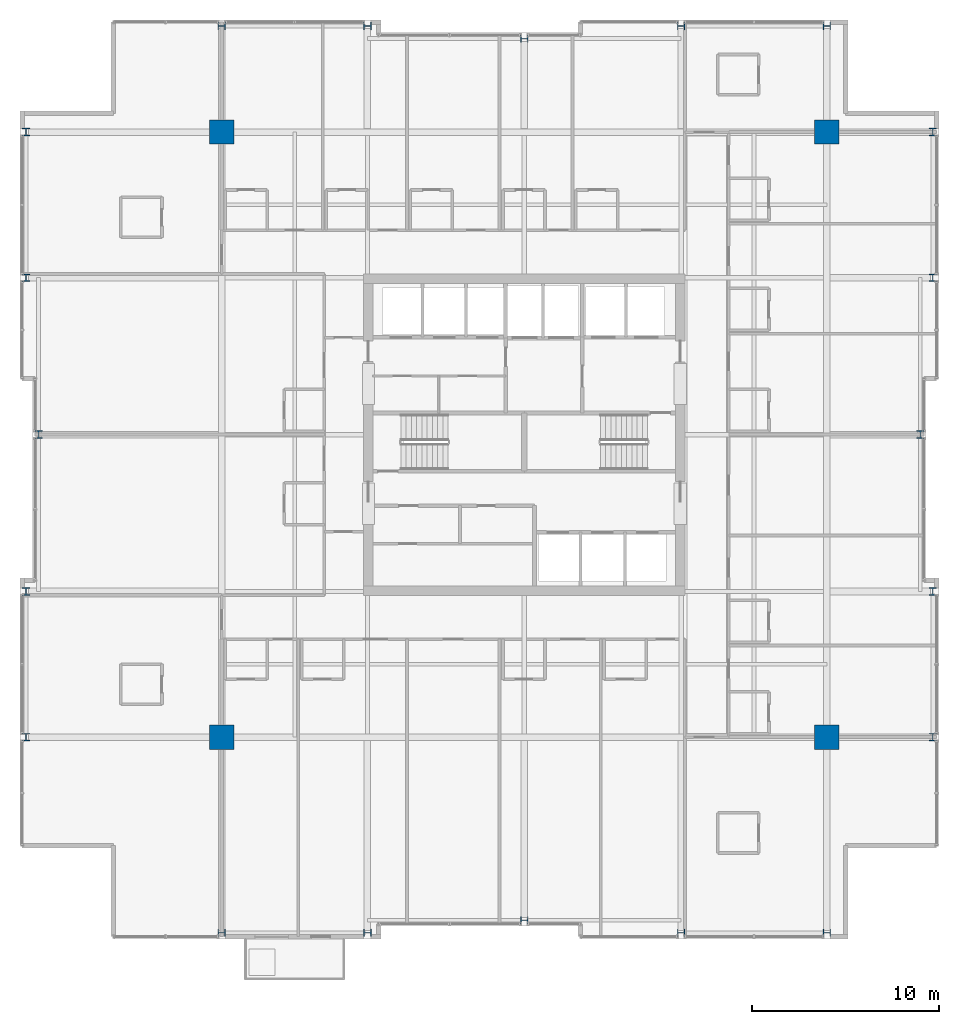
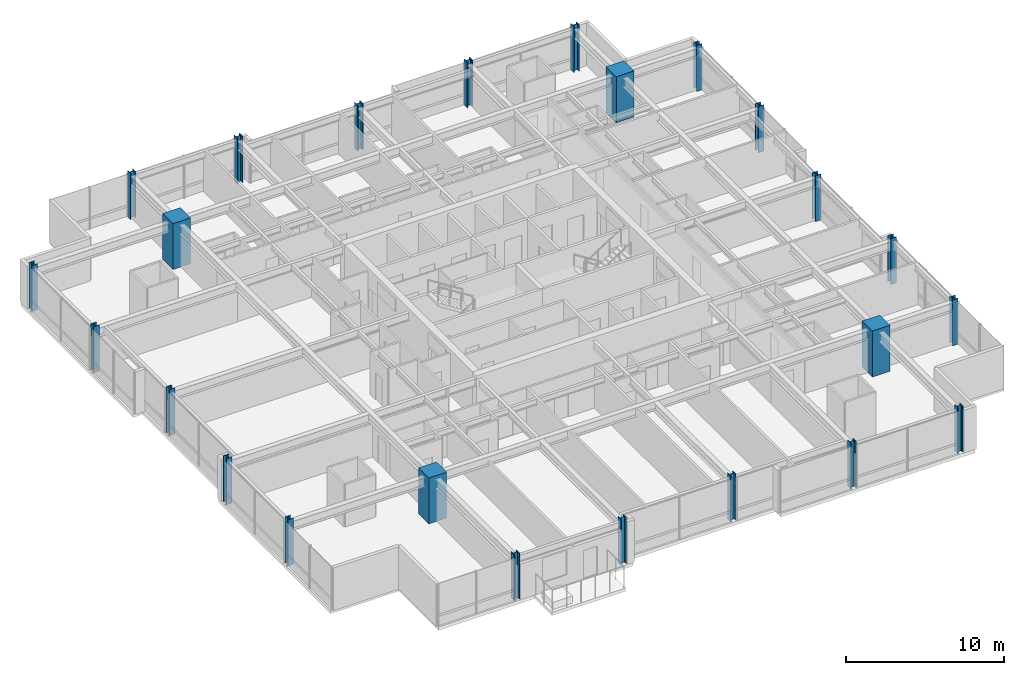
# One storey, part 1 of 32: 24 columns.
"""IFC4 building model written with IfcOpenShell, lengths in metres."""

from ifc_helpers import new_model, si_unit, direction, frame, origin, origin_2d, place, context, subcontext, project, spatial, rectangle, i_section, extrude, material, material_profile, profile_set, type_object, element, save


model = new_model("IFC4")

# Units and contexts
model_context = context("Model", 3, precision=1e-05, world=origin(), true_north=direction((0.0, 1.0)))
body_context = subcontext(model_context, "Body", "Model", "MODEL_VIEW")
ifc_project = project(units=[si_unit("LENGTHUNIT", "METRE"), si_unit("AREAUNIT", "SQUARE_METRE"), si_unit("VOLUMEUNIT", "CUBIC_METRE"), si_unit("PLANEANGLEUNIT", "RADIAN"), si_unit("MASSUNIT", "GRAM", prefix="KILO")], contexts=[model_context])

# Site, building, storey
site_placement = place(None, origin())
site = spatial("IfcSite", under=ifc_project, at=site_placement, CompositionType="ELEMENT")
building_placement = place(site_placement, origin())
building = spatial("IfcBuilding", under=site, at=building_placement, Name="Drelvath Grand Hotel", CompositionType="ELEMENT")
storey_placement = place(building_placement, frame((0.0, 0.0, 150.39990234375)))
storey = spatial("IfcBuildingStorey", under=building, at=storey_placement, Name="L38", CompositionType="ELEMENT", Elevation=150.39990234375)

# Columns
ifc_material_1 = material(Name="Concrete f'c 55 MPa", Category="concrete")
ifc_material_profile_1 = material_profile(ifc_material_1, rectangle(XDim=1.300048828125, YDim=1.300048828125, at=origin_2d()), Name="MC1300X1300")
ifc_profile_set_1 = profile_set([ifc_material_profile_1], Name="Concrete f'c 55 MPa")
column_type_1 = type_object("IfcColumnType", Name="Composite Mega Column MC1300X1300", PredefinedType="COLUMN", material=ifc_profile_set_1)
for number, where, z_axis, x_axis, name in (
    (1, (-16.199951171875, 10.800048828125, 0.0), (0.0, 0.0, 1.0), (1.0, 0.0, 0.0), "L38 Composite Mega Column MC-SW"),
    (2, (16.199951171875, 10.800048828125, 0.0), (0.0, 0.0, 1.0), (1.0, 0.0, 0.0), "L38 Composite Mega Column MC-SE"),
    (3, (-16.199951171875, 43.199951171875, 0.0), (0.0, 0.0, 1.0), (1.0, 0.0, 0.0), "L38 Composite Mega Column MC-NW"),
    (4, (16.199951171875, 43.199951171875, 0.0), (0.0, 0.0, 1.0), (1.0, 0.0, 0.0), "L38 Composite Mega Column MC-NE"),
):
    element("IfcColumn", number, at=place(storey_placement, frame(where, z_axis=z_axis, x_axis=x_axis)), inside=storey, type_object=column_type_1, Name=name, PredefinedType="COLUMN", context=body_context, shape_type="SweptSolid", body=[
        extrude(rectangle(XDim=1.300048828125, YDim=1.300048828125, at=origin_2d()), origin(), (0.0, 0.0, 1.0), 3.550048828125),
    ])
ifc_material_2 = material(Name="Steel ASTM A913 Gr 65", Category="steel")
ifc_material_profile_2 = material_profile(ifc_material_2, i_section(OverallWidth=0.40625, OverallDepth=0.416015625, WebThickness=0.02978515625, FlangeThickness=0.048095703125, FilletRadius=0.028076171875, at=origin_2d()), Name="W14X257")
ifc_profile_set_2 = profile_set([ifc_material_profile_2], Name="Steel ASTM A913 Gr 65")
column_type_2 = type_object("IfcColumnType", Name="Perimeter Steel Column W14X257", PredefinedType="COLUMN", material=ifc_profile_set_2)
for number, where, z_axis, x_axis, name in (
    (5, (-26.679931640625, 10.800048828125, 0.0), (0.0, 0.0, 1.0), (1.0, 0.0, 0.0), "L38 Structural Column TCW-C"),
    (6, (21.8798828125, 10.800048828125, 0.0), (0.0, 0.0, 1.0), (1.0, 0.0, 0.0), "L38 Structural Column TCE-C"),
    (7, (-26.679931640625, 18.60009765625, 0.0), (0.0, 0.0, 1.0), (1.0, 0.0, 0.0), "L38 Structural Column TCW-D"),
    (8, (21.8798828125, 18.60009765625, 0.0), (0.0, 0.0, 1.0), (1.0, 0.0, 0.0), "L38 Structural Column TCE-D"),
    (9, (-26.0, 27.0, 0.0), (0.0, 0.0, 1.0), (1.0, 0.0, 0.0), "L38 Structural Column TCW-E"),
    (10, (21.199951171875, 27.0, 0.0), (0.0, 0.0, 1.0), (1.0, 0.0, 0.0), "L38 Structural Column TCE-E"),
    (11, (-26.679931640625, 35.39990234375, 0.0), (0.0, 0.0, 1.0), (1.0, 0.0, 0.0), "L38 Structural Column TCW-F"),
    (12, (21.8798828125, 35.39990234375, 0.0), (0.0, 0.0, 1.0), (1.0, 0.0, 0.0), "L38 Structural Column TCE-F"),
    (13, (-26.679931640625, 43.199951171875, 0.0), (0.0, 0.0, 1.0), (1.0, 0.0, 0.0), "L38 Structural Column TCW-G"),
    (14, (21.8798828125, 43.199951171875, 0.0), (0.0, 0.0, 1.0), (1.0, 0.0, 0.0), "L38 Structural Column TCE-G"),
    (15, (-16.199951171875, 0.320068359375, 0.0), (0.0, 0.0, 1.0), (0.0, 1.0, 0.0), "L38 Structural Column TCS-3"),
    (16, (-16.199951171875, 48.8798828125, 0.0), (0.0, 0.0, 1.0), (0.0, 1.0, 0.0), "L38 Structural Column TCN-3"),
    (17, (-8.39990234375, 0.320068359375, 0.0), (0.0, 0.0, 1.0), (0.0, 1.0, 0.0), "L38 Structural Column TCS-4"),
    (18, (-8.39990234375, 48.8798828125, 0.0), (0.0, 0.0, 1.0), (0.0, 1.0, 0.0), "L38 Structural Column TCN-4"),
    (19, (0.0, 1.0, 0.0), (0.0, 0.0, 1.0), (0.0, 1.0, 0.0), "L38 Structural Column TCS-5"),
    (20, (0.0, 48.199951171875, 0.0), (0.0, 0.0, 1.0), (0.0, 1.0, 0.0), "L38 Structural Column TCN-5"),
    (21, (8.39990234375, 0.320068359375, 0.0), (0.0, 0.0, 1.0), (0.0, 1.0, 0.0), "L38 Structural Column TCS-6"),
    (22, (8.39990234375, 48.8798828125, 0.0), (0.0, 0.0, 1.0), (0.0, 1.0, 0.0), "L38 Structural Column TCN-6"),
    (23, (16.199951171875, 0.320068359375, 0.0), (0.0, 0.0, 1.0), (0.0, 1.0, 0.0), "L38 Structural Column TCS-7"),
    (24, (16.199951171875, 48.8798828125, 0.0), (0.0, 0.0, 1.0), (0.0, 1.0, 0.0), "L38 Structural Column TCN-7"),
):
    element("IfcColumn", number, at=place(storey_placement, frame(where, z_axis=z_axis, x_axis=x_axis)), inside=storey, type_object=column_type_2, Name=name, PredefinedType="COLUMN", context=body_context, shape_type="SweptSolid", body=[
        extrude(i_section(OverallWidth=0.40625, OverallDepth=0.416015625, WebThickness=0.02978515625, FlangeThickness=0.048095703125, FilletRadius=0.028076171875, at=origin_2d()), origin(), (0.0, 0.0, 1.0), 3.547119140625),
    ])

save(model, "model.ifc")
